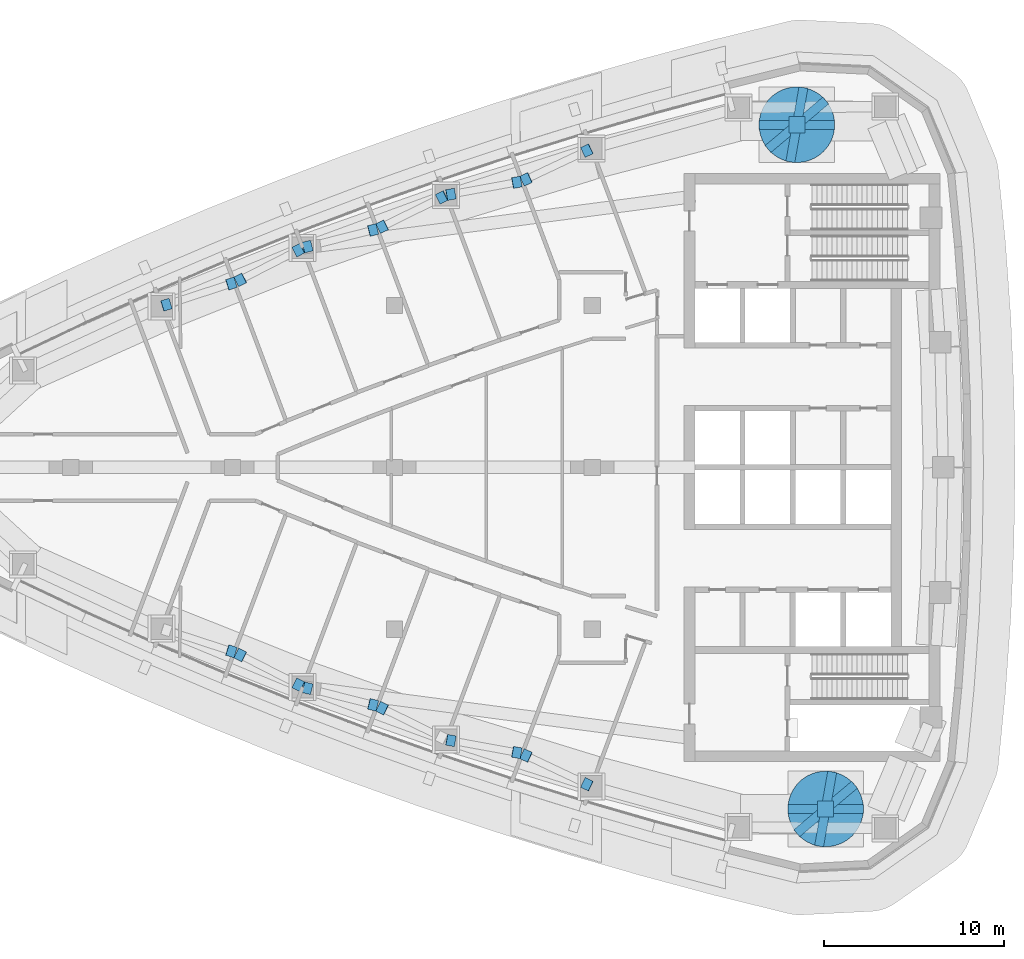
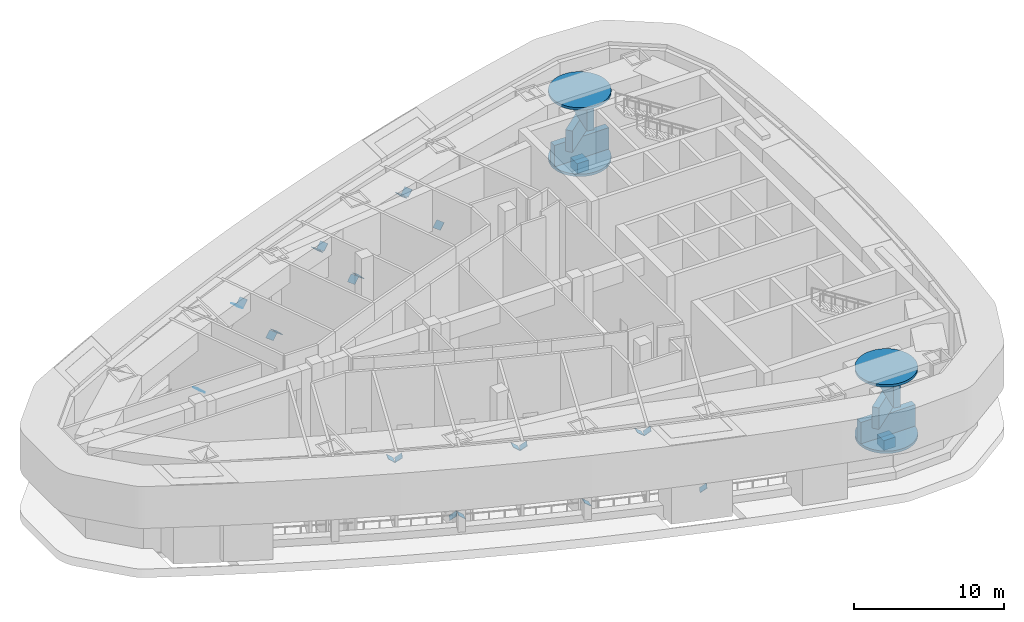
# One storey, part 6 of 12: 34 discrete accessories.
"""IFC4 building model written with IfcOpenShell, lengths in metres."""

from ifc_helpers import new_model, si_unit, direction, frame, origin, origin_2d, place, context, subcontext, project, spatial, polyline, rectangle, outline, extrude, material, material_profile, profile_set, type_object, element, save


model = new_model("IFC4")

# Units and contexts
model_context = context("Model", 3, precision=1e-05, world=origin(), true_north=direction((0.0, 1.0)))
body_context = subcontext(model_context, "Body", "Model", "MODEL_VIEW")
ifc_project = project(units=[si_unit("LENGTHUNIT", "METRE"), si_unit("AREAUNIT", "SQUARE_METRE"), si_unit("VOLUMEUNIT", "CUBIC_METRE"), si_unit("PLANEANGLEUNIT", "RADIAN"), si_unit("MASSUNIT", "GRAM", prefix="KILO")], contexts=[model_context])

# Site, building, storey
site_placement = place(None, origin())
site = spatial("IfcSite", under=ifc_project, at=site_placement, CompositionType="ELEMENT")
building_placement = place(site_placement, origin())
building = spatial("IfcBuilding", under=site, at=building_placement, Name="Ostrand Prow Hotel Tower", CompositionType="ELEMENT")
storey_placement = place(building_placement, frame((0.0, 0.0, 256.300048828125)))
storey = spatial("IfcBuildingStorey", under=building, at=storey_placement, Name="L65", CompositionType="ELEMENT", Elevation=256.300048828125)

# Discrete accessories
ifc_material_1 = material(Name="Steel S355", Category="steel")
ifc_material_profile = material_profile(ifc_material_1, rectangle(XDim=0.60595703125, YDim=0.60595703125, at=origin_2d()), Name="PL 606x606x25")
ifc_profile_set = profile_set([ifc_material_profile], Name="Steel S355")
discrete_accessory_type_1 = type_object("IfcDiscreteAccessoryType", Name="Gusset plate 606x606x25 S355", PredefinedType="USERDEFINED", material=ifc_profile_set)
discrete_accessory_1_placement = place(storey_placement, frame((24.927490234375, -10.22021484375, 5.190185546875), z_axis=(0.589454671021, -0.186660645823, 0.785939561361), x_axis=(0.301891704694, 0.953342225351, 0.0)))
element("IfcDiscreteAccessory", 1, at=discrete_accessory_1_placement, inside=storey, type_object=discrete_accessory_type_1, Name="Gusset plate BR-01 head", ObjectType="GUSSET PLATE", PredefinedType="USERDEFINED", context=body_context, shape_type="SweptSolid", body=[
    extrude(rectangle(XDim=0.60595703125, YDim=0.60595703125, at=origin_2d()), origin(), (0.0, 0.0, 1.0), 0.02490234375),
])
for number, where, z_axis, x_axis, name in (
    (2, (28.66650390625, -12.085693359375, 0.349853515625), (-0.535903566585, 0.272823633898, 0.798983499272), (-0.45368304067, -0.891163115601, 0.0), "Gusset plate BR-02 foot"),
    (3, (25.43603515625, -10.430908203125, 5.18994140625), (-0.535903566585, 0.272823633898, 0.798983499272), (-0.45368304067, -0.891163115601, 0.0), "Gusset plate BR-02 head"),
):
    element("IfcDiscreteAccessory", number, at=place(storey_placement, frame(where, z_axis=z_axis, x_axis=x_axis)), inside=storey, type_object=discrete_accessory_type_1, Name=name, ObjectType="GUSSET PLATE", PredefinedType="USERDEFINED", context=body_context, shape_type="SweptSolid", body=[
        extrude(rectangle(XDim=0.60595703125, YDim=0.60595703125, at=origin_2d()), origin(), (0.0, 0.0, 1.0), 0.025146484375),
    ])
discrete_accessory_2_placement = place(storey_placement, frame((29.16015625, -12.271484375, 0.345458984375), z_axis=(0.588744809409, -0.147186202352, 0.794805492703), x_axis=(0.242535625036, 0.970142500145, 0.0)))
element("IfcDiscreteAccessory", 4, at=discrete_accessory_2_placement, inside=storey, type_object=discrete_accessory_type_1, Name="Gusset plate BR-03 foot", ObjectType="GUSSET PLATE", PredefinedType="USERDEFINED", context=body_context, shape_type="SweptSolid", body=[
    extrude(rectangle(XDim=0.60595703125, YDim=0.60595703125, at=origin_2d()), origin(), (0.0, 0.0, 1.0), 0.02490234375),
])
for number, where, z_axis, x_axis, name in (
    (5, (32.803955078125, -13.196533203125, 5.18994140625), (0.590537695989, -0.145214187538, 0.793837558543), (0.238788121255, 0.971071693104, 0.0), "Gusset plate BR-03 head"),
    (6, (33.320556640625, -13.38623046875, 5.18994140625), (-0.544202525449, 0.262383360484, 0.796867983693), (-0.43429918566, -0.900768681369, 0.0), "Gusset plate BR-04 head"),
):
    element("IfcDiscreteAccessory", number, at=place(storey_placement, frame(where, z_axis=z_axis, x_axis=x_axis)), inside=storey, type_object=discrete_accessory_type_1, Name=name, ObjectType="GUSSET PLATE", PredefinedType="USERDEFINED", context=body_context, shape_type="SweptSolid", body=[
        extrude(rectangle(XDim=0.60595703125, YDim=0.60595703125, at=origin_2d()), origin(), (0.0, 0.0, 1.0), 0.025146484375),
    ])
discrete_accessory_3_placement = place(storey_placement, frame((37.129638671875, -15.1796875, 0.3466796875), z_axis=(0.59806795859, -0.107848320401, 0.794155813865), x_axis=(0.177465527736, 0.984127017445, 0.0)))
element("IfcDiscreteAccessory", 7, at=discrete_accessory_3_placement, inside=storey, type_object=discrete_accessory_type_1, Name="Gusset plate BR-05 foot", ObjectType="GUSSET PLATE", PredefinedType="USERDEFINED", context=body_context, shape_type="SweptSolid", body=[
    extrude(rectangle(XDim=0.60595703125, YDim=0.60595703125, at=origin_2d()), origin(), (0.0, 0.0, 1.0), 0.02490234375),
])
for number, where, z_axis, x_axis, name in (
    (8, (40.795166015625, -15.849609375, 5.18994140625), (0.593436878841, -0.10701320766, 0.797734820738), (0.177465527736, 0.984127017445, 0.0), "Gusset plate BR-05 head"),
    (9, (44.704833984375, -17.616943359375, 0.345947265625), (-0.550988306928, 0.260994461176, 0.792649845054), (-0.428086344739, -0.903737838894, 0.0), "Gusset plate BR-06 foot"),
    (10, (41.319091796875, -16.01806640625, 5.18994140625), (-0.552357737644, 0.251952652259, 0.794619903277), (-0.415005179923, -0.909819048293, 0.0), "Gusset plate BR-06 head"),
    (11, (21.315185546875, 9.041259765625, 0.34423828125), (0.591286282773, 0.184171137257, 0.78515063778), (-0.297383659044, 0.954758063246, 0.0), "Gusset plate BR-07 foot"),
):
    element("IfcDiscreteAccessory", number, at=place(storey_placement, frame(where, z_axis=z_axis, x_axis=x_axis)), inside=storey, type_object=discrete_accessory_type_1, Name=name, ObjectType="GUSSET PLATE", PredefinedType="USERDEFINED", context=body_context, shape_type="SweptSolid", body=[
        extrude(rectangle(XDim=0.60595703125, YDim=0.60595703125, at=origin_2d()), origin(), (0.0, 0.0, 1.0), 0.025146484375),
    ])
discrete_accessory_4_placement = place(storey_placement, frame((24.927490234375, 10.22021484375, 5.190185546875), z_axis=(0.589454671021, 0.186660645823, 0.785939561361), x_axis=(-0.301891704694, 0.953342225351, 0.0)))
element("IfcDiscreteAccessory", 12, at=discrete_accessory_4_placement, inside=storey, type_object=discrete_accessory_type_1, Name="Gusset plate BR-07 head", ObjectType="GUSSET PLATE", PredefinedType="USERDEFINED", context=body_context, shape_type="SweptSolid", body=[
    extrude(rectangle(XDim=0.60595703125, YDim=0.60595703125, at=origin_2d()), origin(), (0.0, 0.0, 1.0), 0.02490234375),
])
for number, where, z_axis, x_axis, name in (
    (13, (28.66650390625, 12.085693359375, 0.349853515625), (-0.535903566585, -0.272823633898, 0.798983499272), (0.45368304067, -0.891163115601, 0.0), "Gusset plate BR-08 foot"),
    (14, (25.43603515625, 10.430908203125, 5.18994140625), (-0.535903566585, -0.272823633898, 0.798983499272), (0.45368304067, -0.891163115601, 0.0), "Gusset plate BR-08 head"),
):
    element("IfcDiscreteAccessory", number, at=place(storey_placement, frame(where, z_axis=z_axis, x_axis=x_axis)), inside=storey, type_object=discrete_accessory_type_1, Name=name, ObjectType="GUSSET PLATE", PredefinedType="USERDEFINED", context=body_context, shape_type="SweptSolid", body=[
        extrude(rectangle(XDim=0.60595703125, YDim=0.60595703125, at=origin_2d()), origin(), (0.0, 0.0, 1.0), 0.025146484375),
    ])
discrete_accessory_5_placement = place(storey_placement, frame((29.16015625, 12.271484375, 0.345458984375), z_axis=(0.588744809409, 0.147186202352, 0.794805492703), x_axis=(-0.242535625036, 0.970142500145, 0.0)))
element("IfcDiscreteAccessory", 15, at=discrete_accessory_5_placement, inside=storey, type_object=discrete_accessory_type_1, Name="Gusset plate BR-09 foot", ObjectType="GUSSET PLATE", PredefinedType="USERDEFINED", context=body_context, shape_type="SweptSolid", body=[
    extrude(rectangle(XDim=0.60595703125, YDim=0.60595703125, at=origin_2d()), origin(), (0.0, 0.0, 1.0), 0.02490234375),
])
for number, where, z_axis, x_axis, name in (
    (16, (32.803955078125, 13.196533203125, 5.18994140625), (0.590537695989, 0.145214187538, 0.793837558543), (-0.238788121255, 0.971071693104, 0.0), "Gusset plate BR-09 head"),
    (17, (36.62939453125, 15.0146484375, 0.347900390625), (-0.54279469454, -0.27139734727, 0.794806517005), (0.4472135955, -0.894427191, 0.0), "Gusset plate BR-10 foot"),
    (18, (33.320556640625, 13.38623046875, 5.18994140625), (-0.544202525449, -0.262383360484, 0.796867983693), (0.43429918566, -0.900768681369, 0.0), "Gusset plate BR-10 head"),
):
    element("IfcDiscreteAccessory", number, at=place(storey_placement, frame(where, z_axis=z_axis, x_axis=x_axis)), inside=storey, type_object=discrete_accessory_type_1, Name=name, ObjectType="GUSSET PLATE", PredefinedType="USERDEFINED", context=body_context, shape_type="SweptSolid", body=[
        extrude(rectangle(XDim=0.60595703125, YDim=0.60595703125, at=origin_2d()), origin(), (0.0, 0.0, 1.0), 0.025146484375),
    ])
discrete_accessory_6_placement = place(storey_placement, frame((37.129638671875, 15.1796875, 0.3466796875), z_axis=(0.59806795859, 0.107848320401, 0.794155813865), x_axis=(-0.177465527736, 0.984127017445, 0.0)))
element("IfcDiscreteAccessory", 19, at=discrete_accessory_6_placement, inside=storey, type_object=discrete_accessory_type_1, Name="Gusset plate BR-11 foot", ObjectType="GUSSET PLATE", PredefinedType="USERDEFINED", context=body_context, shape_type="SweptSolid", body=[
    extrude(rectangle(XDim=0.60595703125, YDim=0.60595703125, at=origin_2d()), origin(), (0.0, 0.0, 1.0), 0.02490234375),
])
for number, where, z_axis, x_axis, name in (
    (20, (40.795166015625, 15.849609375, 5.18994140625), (0.593436878841, 0.10701320766, 0.797734820738), (-0.177465527736, 0.984127017445, 0.0), "Gusset plate BR-11 head"),
    (21, (44.704833984375, 17.616943359375, 0.345947265625), (-0.550988306928, -0.260994461176, 0.792649845054), (0.428086344739, -0.903737838894, 0.0), "Gusset plate BR-12 foot"),
    (22, (41.319091796875, 16.01806640625, 5.18994140625), (-0.552357737644, -0.251952652259, 0.794619903277), (0.415005179923, -0.909819048293, 0.0), "Gusset plate BR-12 head"),
):
    element("IfcDiscreteAccessory", number, at=place(storey_placement, frame(where, z_axis=z_axis, x_axis=x_axis)), inside=storey, type_object=discrete_accessory_type_1, Name=name, ObjectType="GUSSET PLATE", PredefinedType="USERDEFINED", context=body_context, shape_type="SweptSolid", body=[
        extrude(rectangle(XDim=0.60595703125, YDim=0.60595703125, at=origin_2d()), origin(), (0.0, 0.0, 1.0), 0.025146484375),
    ])
ifc_material_2 = material(Name="Bronze anodised aluminium", Category="aluminium")
discrete_accessory_type_2 = type_object("IfcDiscreteAccessoryType", Name="Turbine helical blade 6000x500", PredefinedType="USERDEFINED", material=ifc_material_2)
for number, where, z_axis, x_axis, name in (
    (23, (56.37060546875, 19.050048828125, 1.0), (0.0, 0.0, 1.0), (1.0, 0.0, 0.0), "Turbine blade WT1.1"),
    (24, (56.37060546875, 19.050048828125, 2.733154296875), (0.0, 0.0, 1.0), (0.766044443119, 0.642787609687, 0.0), "Turbine blade WT1.2"),
    (25, (56.37060546875, 19.050048828125, 4.466552734375), (0.0, 0.0, 1.0), (0.173648177667, 0.984807753012, 0.0), "Turbine blade WT1.3"),
    (26, (57.970703125, -18.987548828125, 1.0), (0.0, 0.0, 1.0), (1.0, 0.0, 0.0), "Turbine blade WT2.1"),
    (27, (57.970703125, -18.987548828125, 2.733154296875), (0.0, 0.0, 1.0), (0.766044443119, 0.642787609687, 0.0), "Turbine blade WT2.2"),
    (28, (57.970703125, -18.987548828125, 4.466552734375), (0.0, 0.0, 1.0), (0.173648177667, 0.984807753012, 0.0), "Turbine blade WT2.3"),
):
    element("IfcDiscreteAccessory", number, at=place(storey_placement, frame(where, z_axis=z_axis, x_axis=x_axis)), inside=storey, type_object=discrete_accessory_type_2, Name=name, ObjectType="TURBINE BLADE", PredefinedType="USERDEFINED", context=body_context, shape_type="SweptSolid", body=[
        extrude(rectangle(XDim=4.199951171875, YDim=0.5, at=origin_2d()), origin(), (0.0, 0.0, 1.0), 1.7333984375),
    ])
ifc_material_3 = material(Name="Bronze anodised aluminium", Category="aluminium")
discrete_accessory_type_3 = type_object("IfcDiscreteAccessoryType", Name="Turbine rotor disc 6000", PredefinedType="USERDEFINED", material=ifc_material_3)
discrete_accessory_7_placement = place(storey_placement, frame((0.0, 0.0, 0.800048828125)))
element("IfcDiscreteAccessory", 29, at=discrete_accessory_7_placement, inside=storey, type_object=discrete_accessory_type_3, Name="Turbine rotor disc WT1B", ObjectType="TURBINE ROTOR DISC", PredefinedType="USERDEFINED", context=body_context, shape_type="SweptSolid", body=[
    extrude(outline(polyline([(58.470703125, 19.050048828125), (58.46044921875, 18.84423828125), (58.43017578125, 18.640380859375), (58.380126953125, 18.4404296875), (58.310791015625, 18.246337890625), (58.22265625, 18.06005859375), (58.11669921875, 17.88330078125), (57.993896484375, 17.7177734375), (57.85546875, 17.565185546875), (57.702880859375, 17.4267578125), (57.537353515625, 17.303955078125), (57.360595703125, 17.197998046875), (57.17431640625, 17.10986328125), (56.980224609375, 17.040283203125), (56.7802734375, 16.990478515625), (56.576416015625, 16.960205078125), (56.37060546875, 16.949951171875), (56.164794921875, 16.960205078125), (55.9609375, 16.990478515625), (55.760986328125, 17.040283203125), (55.56689453125, 17.10986328125), (55.380615234375, 17.197998046875), (55.203857421875, 17.303955078125), (55.038330078125, 17.4267578125), (54.8857421875, 17.565185546875), (54.747314453125, 17.7177734375), (54.62451171875, 17.88330078125), (54.5185546875, 18.06005859375), (54.430419921875, 18.246337890625), (54.361083984375, 18.4404296875), (54.310791015625, 18.640380859375), (54.28076171875, 18.84423828125), (54.2705078125, 19.050048828125), (54.28076171875, 19.255859375), (54.310791015625, 19.459716796875), (54.361083984375, 19.65966796875), (54.430419921875, 19.853515625), (54.5185546875, 20.039794921875), (54.62451171875, 20.216796875), (54.747314453125, 20.382080078125), (54.8857421875, 20.534912109375), (55.038330078125, 20.67333984375), (55.203857421875, 20.796142578125), (55.380615234375, 20.902099609375), (55.56689453125, 20.989990234375), (55.760986328125, 21.0595703125), (55.9609375, 21.109619140625), (56.164794921875, 21.139892578125), (56.37060546875, 21.14990234375), (56.576416015625, 21.139892578125), (56.7802734375, 21.109619140625), (56.980224609375, 21.0595703125), (57.17431640625, 20.989990234375), (57.360595703125, 20.902099609375), (57.537353515625, 20.796142578125), (57.702880859375, 20.67333984375), (57.85546875, 20.534912109375), (57.993896484375, 20.382080078125), (58.11669921875, 20.216796875), (58.22265625, 20.039794921875), (58.310791015625, 19.853515625), (58.380126953125, 19.65966796875), (58.43017578125, 19.459716796875), (58.46044921875, 19.255859375), (58.470703125, 19.050048828125)])), origin(), (0.0, 0.0, 1.0), 0.199951171875),
])
discrete_accessory_8_placement = place(storey_placement, frame((0.0, 0.0, 6.199951171875)))
element("IfcDiscreteAccessory", 30, at=discrete_accessory_8_placement, inside=storey, type_object=discrete_accessory_type_3, Name="Turbine rotor disc WT1T", ObjectType="TURBINE ROTOR DISC", PredefinedType="USERDEFINED", context=body_context, shape_type="SweptSolid", body=[
    extrude(outline(polyline([(58.470703125, 19.050048828125), (58.46044921875, 18.84423828125), (58.43017578125, 18.640380859375), (58.380126953125, 18.4404296875), (58.310791015625, 18.246337890625), (58.22265625, 18.06005859375), (58.11669921875, 17.88330078125), (57.993896484375, 17.7177734375), (57.85546875, 17.565185546875), (57.702880859375, 17.4267578125), (57.537353515625, 17.303955078125), (57.360595703125, 17.197998046875), (57.17431640625, 17.10986328125), (56.980224609375, 17.040283203125), (56.7802734375, 16.990478515625), (56.576416015625, 16.960205078125), (56.37060546875, 16.949951171875), (56.164794921875, 16.960205078125), (55.9609375, 16.990478515625), (55.760986328125, 17.040283203125), (55.56689453125, 17.10986328125), (55.380615234375, 17.197998046875), (55.203857421875, 17.303955078125), (55.038330078125, 17.4267578125), (54.8857421875, 17.565185546875), (54.747314453125, 17.7177734375), (54.62451171875, 17.88330078125), (54.5185546875, 18.06005859375), (54.430419921875, 18.246337890625), (54.361083984375, 18.4404296875), (54.310791015625, 18.640380859375), (54.28076171875, 18.84423828125), (54.2705078125, 19.050048828125), (54.28076171875, 19.255859375), (54.310791015625, 19.459716796875), (54.361083984375, 19.65966796875), (54.430419921875, 19.853515625), (54.5185546875, 20.039794921875), (54.62451171875, 20.216796875), (54.747314453125, 20.382080078125), (54.8857421875, 20.534912109375), (55.038330078125, 20.67333984375), (55.203857421875, 20.796142578125), (55.380615234375, 20.902099609375), (55.56689453125, 20.989990234375), (55.760986328125, 21.0595703125), (55.9609375, 21.109619140625), (56.164794921875, 21.139892578125), (56.37060546875, 21.14990234375), (56.576416015625, 21.139892578125), (56.7802734375, 21.109619140625), (56.980224609375, 21.0595703125), (57.17431640625, 20.989990234375), (57.360595703125, 20.902099609375), (57.537353515625, 20.796142578125), (57.702880859375, 20.67333984375), (57.85546875, 20.534912109375), (57.993896484375, 20.382080078125), (58.11669921875, 20.216796875), (58.22265625, 20.039794921875), (58.310791015625, 19.853515625), (58.380126953125, 19.65966796875), (58.43017578125, 19.459716796875), (58.46044921875, 19.255859375), (58.470703125, 19.050048828125)])), origin(), (0.0, 0.0, 1.0), 0.199951171875),
])
discrete_accessory_9_placement = place(storey_placement, frame((0.0, 0.0, 0.800048828125)))
element("IfcDiscreteAccessory", 31, at=discrete_accessory_9_placement, inside=storey, type_object=discrete_accessory_type_3, Name="Turbine rotor disc WT2B", ObjectType="TURBINE ROTOR DISC", PredefinedType="USERDEFINED", context=body_context, shape_type="SweptSolid", body=[
    extrude(outline(polyline([(60.070556640625, -18.987548828125), (60.060546875, -19.193359375), (60.0302734375, -19.397216796875), (59.980224609375, -19.59716796875), (59.91064453125, -19.791259765625), (59.822509765625, -19.9775390625), (59.716796875, -20.154296875), (59.593994140625, -20.31982421875), (59.45556640625, -20.472412109375), (59.302734375, -20.61083984375), (59.13720703125, -20.733642578125), (58.96044921875, -20.839599609375), (58.774169921875, -20.927734375), (58.580078125, -20.997314453125), (58.38037109375, -21.04736328125), (58.176513671875, -21.077392578125), (57.970703125, -21.087646484375), (57.764892578125, -21.077392578125), (57.560791015625, -21.04736328125), (57.361083984375, -20.997314453125), (57.1669921875, -20.927734375), (56.980712890625, -20.839599609375), (56.803955078125, -20.733642578125), (56.638427734375, -20.61083984375), (56.485595703125, -20.472412109375), (56.347412109375, -20.31982421875), (56.224609375, -20.154296875), (56.11865234375, -19.9775390625), (56.030517578125, -19.791259765625), (55.9609375, -19.59716796875), (55.910888671875, -19.397216796875), (55.880615234375, -19.193359375), (55.87060546875, -18.987548828125), (55.880615234375, -18.78173828125), (55.910888671875, -18.577880859375), (55.9609375, -18.3779296875), (56.030517578125, -18.18408203125), (56.11865234375, -17.997802734375), (56.224609375, -17.82080078125), (56.347412109375, -17.655517578125), (56.485595703125, -17.502685546875), (56.638427734375, -17.3642578125), (56.803955078125, -17.241455078125), (56.980712890625, -17.135498046875), (57.1669921875, -17.047607421875), (57.361083984375, -16.97802734375), (57.560791015625, -16.927978515625), (57.764892578125, -16.897705078125), (57.970703125, -16.8876953125), (58.176513671875, -16.897705078125), (58.38037109375, -16.927978515625), (58.580078125, -16.97802734375), (58.774169921875, -17.047607421875), (58.96044921875, -17.135498046875), (59.13720703125, -17.241455078125), (59.302734375, -17.3642578125), (59.45556640625, -17.502685546875), (59.593994140625, -17.655517578125), (59.716796875, -17.82080078125), (59.822509765625, -17.997802734375), (59.91064453125, -18.18408203125), (59.980224609375, -18.3779296875), (60.0302734375, -18.577880859375), (60.060546875, -18.78173828125), (60.070556640625, -18.987548828125)])), origin(), (0.0, 0.0, 1.0), 0.199951171875),
])
discrete_accessory_10_placement = place(storey_placement, frame((0.0, 0.0, 6.199951171875)))
element("IfcDiscreteAccessory", 32, at=discrete_accessory_10_placement, inside=storey, type_object=discrete_accessory_type_3, Name="Turbine rotor disc WT2T", ObjectType="TURBINE ROTOR DISC", PredefinedType="USERDEFINED", context=body_context, shape_type="SweptSolid", body=[
    extrude(outline(polyline([(60.070556640625, -18.987548828125), (60.060546875, -19.193359375), (60.0302734375, -19.397216796875), (59.980224609375, -19.59716796875), (59.91064453125, -19.791259765625), (59.822509765625, -19.9775390625), (59.716796875, -20.154296875), (59.593994140625, -20.31982421875), (59.45556640625, -20.472412109375), (59.302734375, -20.61083984375), (59.13720703125, -20.733642578125), (58.96044921875, -20.839599609375), (58.774169921875, -20.927734375), (58.580078125, -20.997314453125), (58.38037109375, -21.04736328125), (58.176513671875, -21.077392578125), (57.970703125, -21.087646484375), (57.764892578125, -21.077392578125), (57.560791015625, -21.04736328125), (57.361083984375, -20.997314453125), (57.1669921875, -20.927734375), (56.980712890625, -20.839599609375), (56.803955078125, -20.733642578125), (56.638427734375, -20.61083984375), (56.485595703125, -20.472412109375), (56.347412109375, -20.31982421875), (56.224609375, -20.154296875), (56.11865234375, -19.9775390625), (56.030517578125, -19.791259765625), (55.9609375, -19.59716796875), (55.910888671875, -19.397216796875), (55.880615234375, -19.193359375), (55.87060546875, -18.987548828125), (55.880615234375, -18.78173828125), (55.910888671875, -18.577880859375), (55.9609375, -18.3779296875), (56.030517578125, -18.18408203125), (56.11865234375, -17.997802734375), (56.224609375, -17.82080078125), (56.347412109375, -17.655517578125), (56.485595703125, -17.502685546875), (56.638427734375, -17.3642578125), (56.803955078125, -17.241455078125), (56.980712890625, -17.135498046875), (57.1669921875, -17.047607421875), (57.361083984375, -16.97802734375), (57.560791015625, -16.927978515625), (57.764892578125, -16.897705078125), (57.970703125, -16.8876953125), (58.176513671875, -16.897705078125), (58.38037109375, -16.927978515625), (58.580078125, -16.97802734375), (58.774169921875, -17.047607421875), (58.96044921875, -17.135498046875), (59.13720703125, -17.241455078125), (59.302734375, -17.3642578125), (59.45556640625, -17.502685546875), (59.593994140625, -17.655517578125), (59.716796875, -17.82080078125), (59.822509765625, -17.997802734375), (59.91064453125, -18.18408203125), (59.980224609375, -18.3779296875), (60.0302734375, -18.577880859375), (60.060546875, -18.78173828125), (60.070556640625, -18.987548828125)])), origin(), (0.0, 0.0, 1.0), 0.199951171875),
])
ifc_material_4 = material(Name="Painted steel", Category="steel")
discrete_accessory_type_4 = type_object("IfcDiscreteAccessoryType", Name="Turbine support mast 900x900", PredefinedType="USERDEFINED", material=ifc_material_4)
for number, where, z_axis, x_axis, name in (
    (33, (56.37060546875, 19.050048828125, 0.0), (0.0, 0.0, 1.0), (1.0, 0.0, 0.0), "Turbine support WT1"),
    (34, (57.970703125, -18.987548828125, 0.0), (0.0, 0.0, 1.0), (1.0, 0.0, 0.0), "Turbine support WT2"),
):
    element("IfcDiscreteAccessory", number, at=place(storey_placement, frame(where, z_axis=z_axis, x_axis=x_axis)), inside=storey, type_object=discrete_accessory_type_4, Name=name, ObjectType="TURBINE SUPPORT", PredefinedType="USERDEFINED", context=body_context, shape_type="SweptSolid", body=[
        extrude(rectangle(XDim=0.89990234375, YDim=0.89990234375, at=origin_2d()), origin(), (0.0, 0.0, 1.0), 0.800048828125),
    ])

save(model, "model.ifc")
